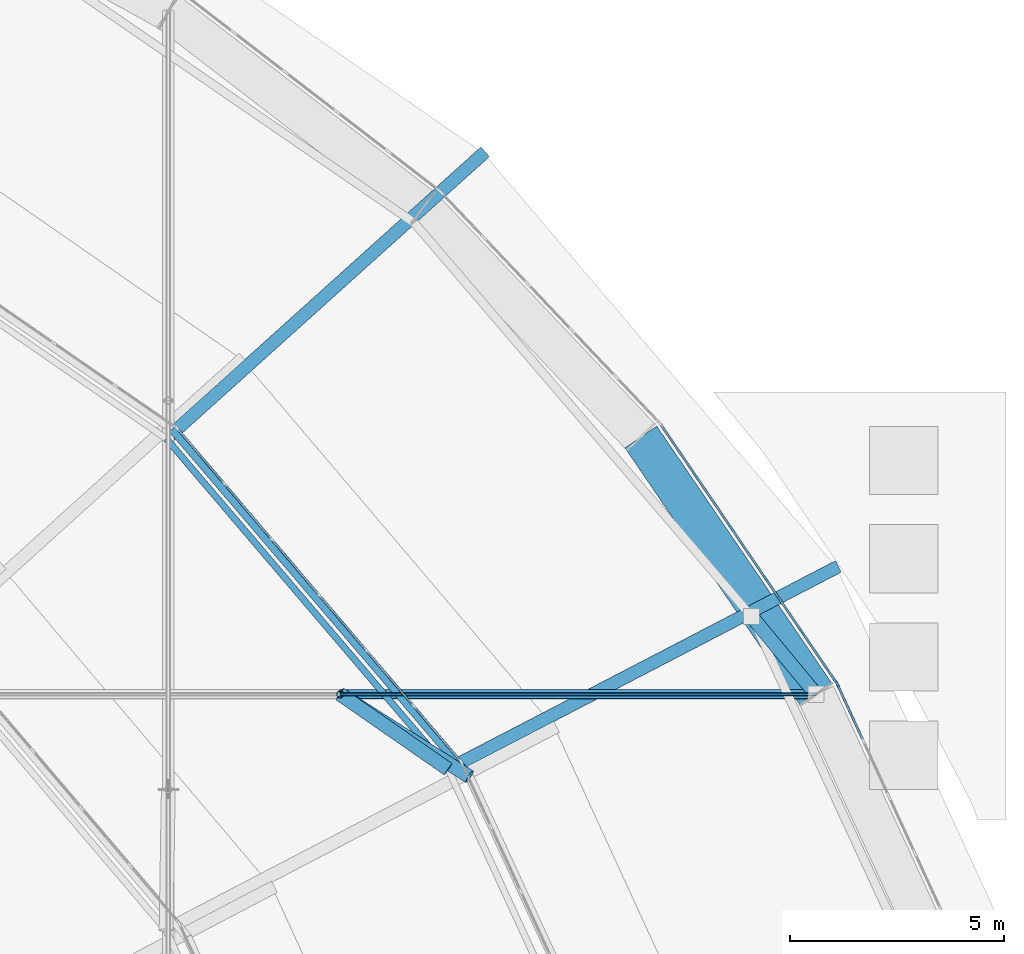
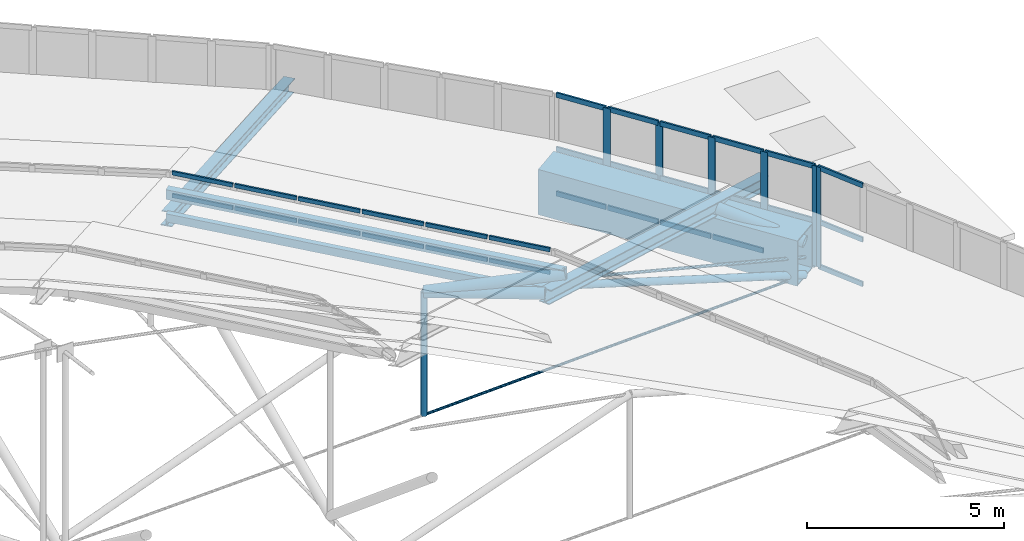
# One storey, part 120 of 173: 47 members, 1 beam, 3 elements without a shape of their own.
"""IFC4 building model written with IfcOpenShell, lengths in metres."""

import ifcopenshell
import ifcopenshell.guid

model = None  # the IFC model being written
_history = None  # IfcOwnerHistory: only IFC2X3 demands one
_inside = {}  # id of a spatial element -> (the spatial element, [elements in it])
_under = {}  # id of a project, library or spatial element -> (it, [spatial elements below it])
_declared = {}  # id of a project -> (the project, [libraries it declares])
_typed = {}  # id of a type object -> (the type object, [elements of that type])
_made_of = {}  # id of a material, layer set ... -> (it, [elements and type objects made of it])


def new_model(schema):
    """Start an empty IFC model of exactly this schema.

    Asked for "IFC4X3", IfcOpenShell would pick the latest addendum, in which some entities
    have other attributes; the version numbers below select the first issue.
    IFC2X3 requires an IfcOwnerHistory on every rooted entity: one is made here for all.
    """
    global model, _history
    if schema == "IFC4X3":
        model = ifcopenshell.file(schema_version=(4, 3, 0, 0))
    else:
        model = ifcopenshell.file(schema=schema)
    _inside.clear()
    _under.clear()
    _declared.clear()
    _typed.clear()
    _made_of.clear()
    _history = None
    if model.schema == "IFC2X3":
        org = make("IfcOrganization", Name="unknown")
        user = make(
            "IfcPersonAndOrganization",
            ThePerson=make("IfcPerson", FamilyName="unknown"),
            TheOrganization=org,
        )
        app = make(
            "IfcApplication",
            ApplicationDeveloper=org,
            Version="unknown",
            ApplicationFullName="unknown",
            ApplicationIdentifier="unknown",
        )
        _history = make(
            "IfcOwnerHistory",
            OwningUser=user,
            OwningApplication=app,
            ChangeAction="ADDED",
            CreationDate=0,
        )
    return model


def make(cls, **values):
    """One entity of the class cls with the attributes given. An attribute that is None is left unset."""
    return model.create_entity(
        cls, **{name: value for name, value in values.items() if value is not None}
    )


def rooted(cls, **values):
    """An entity with a GlobalId (a new one), such as an element, a storey or a relation."""
    return make(cls, GlobalId=ifcopenshell.guid.new(), OwnerHistory=_history, **values)


def si_unit(unit_type, name, prefix=None):
    """IfcSIUnit, for example si_unit("LENGTHUNIT", "METRE", prefix="MILLI")."""
    return make("IfcSIUnit", UnitType=unit_type, Prefix=prefix, Name=name)


def assignment(units):
    """IfcUnitAssignment: the units of a project."""
    return None if units is None else make("IfcUnitAssignment", Units=units)


def point(xyz):
    """IfcCartesianPoint."""
    return None if xyz is None else make("IfcCartesianPoint", Coordinates=xyz)


def direction(xyz):
    """IfcDirection."""
    return None if xyz is None else make("IfcDirection", DirectionRatios=xyz)


def frame(location, z_axis=None, x_axis=None):
    """IfcAxis2Placement3D, a coordinate frame: its origin and axes. An axis left out is left unset."""
    return make(
        "IfcAxis2Placement3D",
        Location=point(location),
        Axis=direction(z_axis),
        RefDirection=direction(x_axis),
    )


def frame_2d(location, x_axis=None):
    """IfcAxis2Placement2D, a coordinate frame in the plane: its origin and x axis."""
    return make(
        "IfcAxis2Placement2D", Location=point(location), RefDirection=direction(x_axis)
    )


def origin():
    """The frame at (0, 0, 0) with its axes left unset."""
    return frame((0.0, 0.0, 0.0))


def origin_2d():
    """The frame at (0, 0) in the plane with its x axis left unset."""
    return frame_2d((0.0, 0.0))


def place(relative_to, where):
    """IfcLocalPlacement: puts the frame where relative to a parent placement (None: the world)."""
    return make(
        "IfcLocalPlacement", PlacementRelTo=relative_to, RelativePlacement=where
    )


def context(
    kind, dimensions, precision=None, world=None, true_north=None, identifier=None
):
    """IfcGeometricRepresentationContext, for example the 3D "Model" context."""
    return make(
        "IfcGeometricRepresentationContext",
        ContextIdentifier=identifier,
        ContextType=kind,
        CoordinateSpaceDimension=dimensions,
        Precision=precision,
        WorldCoordinateSystem=world,
        TrueNorth=true_north,
    )


def subcontext(parent, identifier, kind, view, scale=None):
    """IfcGeometricRepresentationSubContext, for example "Body" below "Model"."""
    return make(
        "IfcGeometricRepresentationSubContext",
        ContextIdentifier=identifier,
        ContextType=kind,
        ParentContext=parent,
        TargetScale=scale,
        TargetView=view,
    )


def project(units=None, contexts=None):
    """IfcProject with its units and contexts."""
    return rooted(
        "IfcProject",
        Name="project",
        RepresentationContexts=contexts,
        UnitsInContext=assignment(units),
    )


def spatial(cls, under=None, at=None, **own):
    """A site, building, storey or space (cls), placed at a placement, below another one or the project."""
    s = rooted(cls, ObjectPlacement=at, **own)
    if under is not None:
        _under.setdefault(under.id(), (under, []))[1].append(s)
    return s


def profile(cls, at=None, kind="AREA", **sizes):
    """A parametric profile (cls). Its sizes go by their IFC names, for example OverallWidth=200.0."""
    return make(cls, ProfileType=kind, Position=at, **sizes)


def rectangle(**sizes):
    """IfcRectangleProfileDef."""
    return profile("IfcRectangleProfileDef", **sizes)


def hollow_rectangle(**sizes):
    """IfcRectangleHollowProfileDef."""
    return profile("IfcRectangleHollowProfileDef", **sizes)


def circle(**sizes):
    """IfcCircleProfileDef."""
    return profile("IfcCircleProfileDef", **sizes)


def hollow_circle(**sizes):
    """IfcCircleHollowProfileDef."""
    return profile("IfcCircleHollowProfileDef", **sizes)


def i_section(**sizes):
    """IfcIShapeProfileDef."""
    return profile("IfcIShapeProfileDef", **sizes)


def extrude(swept, where, along, depth):
    """IfcExtrudedAreaSolid: the profile swept, set in the frame where, extruded along a direction by depth."""
    return make(
        "IfcExtrudedAreaSolid",
        SweptArea=swept,
        Position=where,
        ExtrudedDirection=direction(along),
        Depth=depth,
    )


def shape(context_of_items, identifier, shape_type, items):
    """IfcShapeRepresentation: the items that make up one representation, for example the "Body"."""
    return make(
        "IfcShapeRepresentation",
        ContextOfItems=context_of_items,
        RepresentationIdentifier=identifier,
        RepresentationType=shape_type,
        Items=items,
    )


def material(Name=None, Category=None):
    """IfcMaterial."""
    return make("IfcMaterial", Name=Name, Category=Category)


def material_profile(
    of_material, cross_section, Name=None, Category=None, Priority=None
):
    """IfcMaterialProfile: a cross section and its material."""
    return make(
        "IfcMaterialProfile",
        Name=Name,
        Material=of_material,
        Profile=cross_section,
        Priority=Priority,
        Category=Category,
    )


def profile_set(profiles, Name=None, composite=None):
    """IfcMaterialProfileSet."""
    return make(
        "IfcMaterialProfileSet",
        Name=Name,
        MaterialProfiles=profiles,
        CompositeProfile=composite,
    )


def made_of(thing, what):
    """Note that an element or type object is made of a material, layer set ...; save() writes the relation."""
    if what is not None:
        _made_of.setdefault(what.id(), (what, []))[1].append(thing)
    return thing


def type_object(cls, material=None, **own):
    """A type object (cls), such as IfcWallType, which elements share."""
    return made_of(rooted(cls, **own), material)


def element(
    cls,
    number,
    at=None,
    inside=None,
    cuts=None,
    type_object=None,
    material=None,
    context=None,
    identifier="Body",
    shape_type=None,
    held_by="IfcProductDefinitionShape",
    body=None,
    shapes=None,
    **own,
):
    """One element of the class cls, such as IfcWall. Its Tag is "e" and its number.

    at: its placement. inside: the storey or other place that contains it. cuts: it is an
    opening in that element (IfcRelVoidsElement). A single representation is given by context,
    identifier, shape_type and body (its items); several are given by shapes. held_by: the class
    of the entity that holds the representations. save() writes the other relations.
    """
    e = rooted(cls, Tag="e%d" % number, ObjectPlacement=at, **own)
    if body is not None:
        shapes = [shape(context, identifier, shape_type, body)]
    if shapes is not None:
        e.Representation = make(held_by, Representations=shapes)
    if inside is not None:
        _inside.setdefault(inside.id(), (inside, []))[1].append(e)
    if cuts is not None:
        rooted(
            "IfcRelVoidsElement", RelatingBuildingElement=cuts, RelatedOpeningElement=e
        )
    if type_object is not None:
        _typed.setdefault(type_object.id(), (type_object, []))[1].append(e)
    return made_of(e, material)


def aggregate(whole, parts):
    """IfcRelAggregates: a whole, such as a stair, and the parts it consists of."""
    return rooted("IfcRelAggregates", RelatingObject=whole, RelatedObjects=parts)


def save(model, path):
    """Write the relations noted so far, then the file.

    IfcRelAggregates (storeys below a building ...), IfcRelContainedInSpatialStructure (elements
    in a storey), IfcRelDefinesByType, IfcRelAssociatesMaterial and IfcRelDeclares: one each for
    every whole, place, type object, material and project.
    """
    for whole, parts in _under.values():
        aggregate(whole, parts)
    for where, things in _inside.values():
        rooted(
            "IfcRelContainedInSpatialStructure",
            RelatedElements=things,
            RelatingStructure=where,
        )
    for kind, things in _typed.values():
        rooted("IfcRelDefinesByType", RelatedObjects=things, RelatingType=kind)
    for what, things in _made_of.values():
        rooted("IfcRelAssociatesMaterial", RelatedObjects=things, RelatingMaterial=what)
    for by, libraries in _declared.values():
        rooted("IfcRelDeclares", RelatingContext=by, RelatedDefinitions=libraries)
    model.write(path)


model = new_model("IFC4")

# Units and contexts
model_context = context("Model", 3, precision=1e-05, world=origin(), true_north=direction((0.0, 1.0)))
body_context = subcontext(model_context, "Body", "Model", "MODEL_VIEW")
ifc_project = project(units=[si_unit("LENGTHUNIT", "METRE"), si_unit("AREAUNIT", "SQUARE_METRE"), si_unit("VOLUMEUNIT", "CUBIC_METRE"), si_unit("PLANEANGLEUNIT", "RADIAN"), si_unit("MASSUNIT", "GRAM", prefix="KILO")], contexts=[model_context])

# Site, building, storey
site_placement = place(None, origin())
site = spatial("IfcSite", under=ifc_project, at=site_placement, CompositionType="ELEMENT")
building_placement = place(site_placement, origin())
building = spatial("IfcBuilding", under=site, at=building_placement, Name="Glasvene Arena", CompositionType="ELEMENT")
storey_placement = place(building_placement, frame((0.0, 0.0, 28.800048828125)))
storey = spatial("IfcBuildingStorey", under=building, at=storey_placement, Name="RF", CompositionType="ELEMENT", Elevation=28.800048828125)

# Beam
ifc_material_1 = material(Name="Steel S355J2", Category="steel")
ifc_material_profile_1 = material_profile(ifc_material_1, hollow_rectangle(XDim=0.89990234375, YDim=1.39990234375, WallThickness=0.034912109375, at=origin_2d()), Name="WBOX 900x1400x35")
ifc_profile_set_1 = profile_set([ifc_material_profile_1], Name="Steel S355J2")
beam_type = type_object("IfcBeamType", Name="BM-RING-BOX1400", PredefinedType="USERDEFINED", material=ifc_profile_set_1)
beam_placement = place(storey_placement, frame((136.55029296875, 93.4296875, -0.699951171875), z_axis=(-0.562841652838, 0.826564742674, 0.0), x_axis=(-0.826564742674, -0.562841652838, 0.0)))
element("IfcBeam", 1, at=beam_placement, inside=storey, type_object=beam_type, Name="Compression ring beam chord RB-04", ObjectType="RING BEAM", PredefinedType="USERDEFINED", context=body_context, shape_type="SweptSolid", body=[
    extrude(hollow_rectangle(XDim=0.89990234375, YDim=1.39990234375, WallThickness=0.034912109375, at=origin_2d()), origin(), (0.0, 0.0, 1.0), 7.28369140625),
])

# Curtain wall, member
ifc_material_2 = material(Name="Low-emissivity laminated double glazing", Category="glass")
curtain_wall_type_1 = type_object("IfcCurtainWallType", Name="CW-DRUM-727x310", PredefinedType="USERDEFINED", material=ifc_material_2)
curtain_wall_1_placement = place(storey_placement, frame((140.075927734375, 87.07568359375, 0.0)))
curtain_wall_1 = element("IfcCurtainWall", 2, at=curtain_wall_1_placement, inside=storey, type_object=curtain_wall_type_1, Name="Crown compression-ring fascia curtain wall 03", ObjectType="CURTAIN WALL", PredefinedType="USERDEFINED")
ifc_material_3 = material(Name="Anodised architectural aluminium", Category="aluminium")
ifc_material_profile_2 = material_profile(ifc_material_3, rectangle(XDim=0.050048828125, YDim=0.199951171875, at=origin_2d()), Name="ALU MULLION 50x200")
ifc_profile_set_2 = profile_set([ifc_material_profile_2], Name="Anodised architectural aluminium")
member_type_1 = type_object("IfcMemberType", Name="CW-MUL-180", PredefinedType="MULLION", material=ifc_profile_set_2)
member_1_placement = place(storey_placement, frame((137.05078125, 93.656494140625, -1.380126953125), z_axis=(0.0, 0.0, 1.0), x_axis=(-0.908603046232, -0.417660752738, 0.0)))
member_1 = element("IfcMember", 3, at=member_1_placement, type_object=member_type_1, Name="CW-073 mullion 6", PredefinedType="MULLION", context=body_context, shape_type="SweptSolid", body=[
    extrude(rectangle(XDim=0.050048828125, YDim=0.199951171875, at=origin_2d()), origin(), (0.0, 0.0, 1.0), 3.10009765625),
])

# Curtain wall, members
curtain_wall_type_2 = type_object("IfcCurtainWallType", Name="CW-DRUM-737x310", PredefinedType="USERDEFINED", material=ifc_material_2)
curtain_wall_2_placement = place(storey_placement, frame((137.040283203125, 93.67919921875, 0.0)))
curtain_wall_2 = element("IfcCurtainWall", 4, at=curtain_wall_2_placement, inside=storey, type_object=curtain_wall_type_2, Name="Crown compression-ring fascia curtain wall 04", ObjectType="CURTAIN WALL", PredefinedType="USERDEFINED")
member_2_placement = place(storey_placement, frame((137.0263671875, 93.699951171875, -1.380126953125), z_axis=(0.0, 0.0, 1.0), x_axis=(-0.826896469394, -0.56235418457, 0.0)))
member_2 = element("IfcMember", 5, at=member_2_placement, type_object=member_type_1, Name="CW-074 mullion 1", PredefinedType="MULLION", context=body_context, shape_type="SweptSolid", body=[
    extrude(rectangle(XDim=0.050048828125, YDim=0.199951171875, at=origin_2d()), origin(), (0.0, 0.0, 1.0), 3.10009765625),
])
member_3_placement = place(storey_placement, frame((136.21142578125, 94.898193359375, -1.380126953125), z_axis=(0.0, 0.0, 1.0), x_axis=(-0.826896469394, -0.56235418457, 0.0)))
member_3 = element("IfcMember", 6, at=member_3_placement, type_object=member_type_1, Name="CW-074 mullion 2", PredefinedType="MULLION", context=body_context, shape_type="SweptSolid", body=[
    extrude(rectangle(XDim=0.050048828125, YDim=0.199951171875, at=origin_2d()), origin(), (0.0, 0.0, 1.0), 3.10009765625),
])
member_4_placement = place(storey_placement, frame((135.382568359375, 96.116943359375, -1.380126953125), z_axis=(0.0, 0.0, 1.0), x_axis=(-0.826896469394, -0.56235418457, 0.0)))
member_4 = element("IfcMember", 7, at=member_4_placement, type_object=member_type_1, Name="CW-074 mullion 3", PredefinedType="MULLION", context=body_context, shape_type="SweptSolid", body=[
    extrude(rectangle(XDim=0.050048828125, YDim=0.199951171875, at=origin_2d()), origin(), (0.0, 0.0, 1.0), 3.10009765625),
])
member_5_placement = place(storey_placement, frame((134.5537109375, 97.3359375, -1.380126953125), z_axis=(0.0, 0.0, 1.0), x_axis=(-0.826896469394, -0.56235418457, 0.0)))
member_5 = element("IfcMember", 8, at=member_5_placement, type_object=member_type_1, Name="CW-074 mullion 4", PredefinedType="MULLION", context=body_context, shape_type="SweptSolid", body=[
    extrude(rectangle(XDim=0.050048828125, YDim=0.199951171875, at=origin_2d()), origin(), (0.0, 0.0, 1.0), 3.10009765625),
])
member_6_placement = place(storey_placement, frame((133.724609375, 98.5546875, -1.380126953125), z_axis=(0.0, 0.0, 1.0), x_axis=(-0.826896469394, -0.56235418457, 0.0)))
member_6 = element("IfcMember", 9, at=member_6_placement, type_object=member_type_1, Name="CW-074 mullion 5", PredefinedType="MULLION", context=body_context, shape_type="SweptSolid", body=[
    extrude(rectangle(XDim=0.050048828125, YDim=0.199951171875, at=origin_2d()), origin(), (0.0, 0.0, 1.0), 3.10009765625),
])

curtain_wall_type_3 = type_object("IfcCurtainWallType", Name="CW-PET1-1026x75", PredefinedType="USERDEFINED", material=ifc_material_2)
curtain_wall_3_placement = place(storey_placement, frame((128.2431640625, 91.85009765625, 0.0)))
curtain_wall_3 = element("IfcCurtainWall", 10, at=curtain_wall_3_placement, inside=storey, type_object=curtain_wall_type_3, Name="Petal ring 1-2 clerestory curtain wall 03", ObjectType="CURTAIN WALL", PredefinedType="USERDEFINED")
ifc_material_profile_3 = material_profile(ifc_material_3, rectangle(XDim=0.050048828125, YDim=0.1201171875, at=origin_2d()), Name="ALU TRANSOM 50x120")
ifc_profile_set_3 = profile_set([ifc_material_profile_3], Name="Anodised architectural aluminium")
member_type_2 = type_object("IfcMemberType", Name="CW-TRN-120", PredefinedType="USERDEFINED", material=ifc_profile_set_3)
member_7_placement = place(storey_placement, frame((128.210693359375, 91.88818359375, 2.60498046875), z_axis=(-0.648463249482, 0.761245961613, 0.0), x_axis=(-0.761245961613, -0.648463249482, 0.0)))
member_7 = element("IfcMember", 11, at=member_7_placement, type_object=member_type_2, Name="CW-083 transom 1.1", ObjectType="TRANSOM", PredefinedType="USERDEFINED", context=body_context, shape_type="SweptSolid", body=[
    extrude(rectangle(XDim=0.050048828125, YDim=0.1201171875, at=origin_2d()), origin(), (0.0, 0.0, 1.0), 1.63427734375),
])
member_8_placement = place(storey_placement, frame((128.210693359375, 91.88818359375, 3.304931640625), z_axis=(-0.648463249482, 0.761245961613, 0.0), x_axis=(-0.761245961613, -0.648463249482, 0.0)))
member_8 = element("IfcMember", 12, at=member_8_placement, type_object=member_type_2, Name="CW-083 transom 1.2", ObjectType="TRANSOM", PredefinedType="USERDEFINED", context=body_context, shape_type="SweptSolid", body=[
    extrude(rectangle(XDim=0.050048828125, YDim=0.1201171875, at=origin_2d()), origin(), (0.0, 0.0, 1.0), 1.63427734375),
])
member_9_placement = place(storey_placement, frame((127.118408203125, 93.17041015625, 2.60498046875), z_axis=(-0.648425401794, 0.761278200337, 0.0), x_axis=(-0.761278200337, -0.648425401794, 0.0)))
member_9 = element("IfcMember", 13, at=member_9_placement, type_object=member_type_2, Name="CW-083 transom 2.1", ObjectType="TRANSOM", PredefinedType="USERDEFINED", context=body_context, shape_type="SweptSolid", body=[
    extrude(rectangle(XDim=0.050048828125, YDim=0.1201171875, at=origin_2d()), origin(), (0.0, 0.0, 1.0), 1.6591796875),
])
member_10_placement = place(storey_placement, frame((127.118408203125, 93.17041015625, 3.304931640625), z_axis=(-0.648425401794, 0.761278200337, 0.0), x_axis=(-0.761278200337, -0.648425401794, 0.0)))
member_10 = element("IfcMember", 14, at=member_10_placement, type_object=member_type_2, Name="CW-083 transom 2.2", ObjectType="TRANSOM", PredefinedType="USERDEFINED", context=body_context, shape_type="SweptSolid", body=[
    extrude(rectangle(XDim=0.050048828125, YDim=0.1201171875, at=origin_2d()), origin(), (0.0, 0.0, 1.0), 1.6591796875),
])
member_11_placement = place(storey_placement, frame((126.010009765625, 94.4716796875, 2.60498046875), z_axis=(-0.648425401794, 0.761278200337, 0.0), x_axis=(-0.761278200337, -0.648425401794, 0.0)))
member_11 = element("IfcMember", 15, at=member_11_placement, type_object=member_type_2, Name="CW-083 transom 3.1", ObjectType="TRANSOM", PredefinedType="USERDEFINED", context=body_context, shape_type="SweptSolid", body=[
    extrude(rectangle(XDim=0.050048828125, YDim=0.1201171875, at=origin_2d()), origin(), (0.0, 0.0, 1.0), 1.6591796875),
])
member_12_placement = place(storey_placement, frame((126.010009765625, 94.4716796875, 3.304931640625), z_axis=(-0.648425401794, 0.761278200337, 0.0), x_axis=(-0.761278200337, -0.648425401794, 0.0)))
member_12 = element("IfcMember", 16, at=member_12_placement, type_object=member_type_2, Name="CW-083 transom 3.2", ObjectType="TRANSOM", PredefinedType="USERDEFINED", context=body_context, shape_type="SweptSolid", body=[
    extrude(rectangle(XDim=0.050048828125, YDim=0.1201171875, at=origin_2d()), origin(), (0.0, 0.0, 1.0), 1.6591796875),
])
member_13_placement = place(storey_placement, frame((124.901611328125, 95.77294921875, 2.60498046875), z_axis=(-0.648510661064, 0.761205571766, 0.0), x_axis=(-0.761205571766, -0.648510661064, 0.0)))
member_13 = element("IfcMember", 17, at=member_13_placement, type_object=member_type_2, Name="CW-083 transom 4.1", ObjectType="TRANSOM", PredefinedType="USERDEFINED", context=body_context, shape_type="SweptSolid", body=[
    extrude(rectangle(XDim=0.050048828125, YDim=0.1201171875, at=origin_2d()), origin(), (0.0, 0.0, 1.0), 1.659423828125),
])
member_14_placement = place(storey_placement, frame((124.901611328125, 95.77294921875, 3.304931640625), z_axis=(-0.648510661064, 0.761205571766, 0.0), x_axis=(-0.761205571766, -0.648510661064, 0.0)))
member_14 = element("IfcMember", 18, at=member_14_placement, type_object=member_type_2, Name="CW-083 transom 4.2", ObjectType="TRANSOM", PredefinedType="USERDEFINED", context=body_context, shape_type="SweptSolid", body=[
    extrude(rectangle(XDim=0.050048828125, YDim=0.1201171875, at=origin_2d()), origin(), (0.0, 0.0, 1.0), 1.659423828125),
])
member_15_placement = place(storey_placement, frame((123.793212890625, 97.07421875, 2.60498046875), z_axis=(-0.648438039829, 0.761267435598, 0.0), x_axis=(-0.761267435598, -0.648438039829, 0.0)))
member_15 = element("IfcMember", 19, at=member_15_placement, type_object=member_type_2, Name="CW-083 transom 5.1", ObjectType="TRANSOM", PredefinedType="USERDEFINED", context=body_context, shape_type="SweptSolid", body=[
    extrude(rectangle(XDim=0.050048828125, YDim=0.1201171875, at=origin_2d()), origin(), (0.0, 0.0, 1.0), 1.65966796875),
])
member_16_placement = place(storey_placement, frame((123.793212890625, 97.07421875, 3.304931640625), z_axis=(-0.648438039829, 0.761267435598, 0.0), x_axis=(-0.761267435598, -0.648438039829, 0.0)))
member_16 = element("IfcMember", 20, at=member_16_placement, type_object=member_type_2, Name="CW-083 transom 5.2", ObjectType="TRANSOM", PredefinedType="USERDEFINED", context=body_context, shape_type="SweptSolid", body=[
    extrude(rectangle(XDim=0.050048828125, YDim=0.1201171875, at=origin_2d()), origin(), (0.0, 0.0, 1.0), 1.65966796875),
])
member_17_placement = place(storey_placement, frame((122.6845703125, 98.375732421875, 2.60498046875), z_axis=(-0.648463249482, 0.761245961613, 0.0), x_axis=(-0.761245961613, -0.648463249482, 0.0)))
member_17 = element("IfcMember", 21, at=member_17_placement, type_object=member_type_2, Name="CW-083 transom 6.1", ObjectType="TRANSOM", PredefinedType="USERDEFINED", context=body_context, shape_type="SweptSolid", body=[
    extrude(rectangle(XDim=0.050048828125, YDim=0.1201171875, at=origin_2d()), origin(), (0.0, 0.0, 1.0), 1.63427734375),
])
member_18_placement = place(storey_placement, frame((122.6845703125, 98.375732421875, 3.304931640625), z_axis=(-0.648463249482, 0.761245961613, 0.0), x_axis=(-0.761245961613, -0.648463249482, 0.0)))
member_18 = element("IfcMember", 22, at=member_18_placement, type_object=member_type_2, Name="CW-083 transom 6.2", ObjectType="TRANSOM", PredefinedType="USERDEFINED", context=body_context, shape_type="SweptSolid", body=[
    extrude(rectangle(XDim=0.050048828125, YDim=0.1201171875, at=origin_2d()), origin(), (0.0, 0.0, 1.0), 1.63427734375),
])
aggregate(curtain_wall_3, [member_7, member_8, member_9, member_10, member_11, member_12, member_13, member_14, member_15, member_16, member_17, member_18])

# Member
ifc_material_profile_4 = material_profile(ifc_material_3, rectangle(XDim=0.050048828125, YDim=0.14990234375, at=origin_2d()), Name="ALU TRANSOM 50x150")
ifc_profile_set_4 = profile_set([ifc_material_profile_4], Name="Anodised architectural aluminium")
member_type_3 = type_object("IfcMemberType", Name="CW-TRN-150", PredefinedType="USERDEFINED", material=ifc_profile_set_4)
member_19_placement = place(storey_placement, frame((137.636962890625, 92.38134765625, -1.35498046875), z_axis=(-0.417642458451, 0.908611455408, 0.0), x_axis=(-0.908611455408, -0.417642458451, 0.0)))
member_19 = element("IfcMember", 23, at=member_19_placement, type_object=member_type_3, Name="CW-073 transom 5.1", ObjectType="TRANSOM", PredefinedType="USERDEFINED", context=body_context, shape_type="SweptSolid", body=[
    extrude(rectangle(XDim=0.050048828125, YDim=0.14990234375, at=origin_2d()), origin(), (0.0, 0.0, 1.0), 1.37841796875),
])

member_20_placement = place(storey_placement, frame((137.636962890625, 92.38134765625, 0.02001953125), z_axis=(-0.417642458451, 0.908611455408, 0.0), x_axis=(-0.908611455408, -0.417642458451, 0.0)))
member_20 = element("IfcMember", 24, at=member_20_placement, type_object=member_type_3, Name="CW-073 transom 5.2", ObjectType="TRANSOM", PredefinedType="USERDEFINED", context=body_context, shape_type="SweptSolid", body=[
    extrude(rectangle(XDim=0.050048828125, YDim=0.14990234375, at=origin_2d()), origin(), (0.0, 0.0, 1.0), 1.37841796875),
])

member_21_placement = place(storey_placement, frame((137.636962890625, 92.38134765625, 1.695068359375), z_axis=(-0.417642458451, 0.908611455408, 0.0), x_axis=(-0.908611455408, -0.417642458451, 0.0)))
member_21 = element("IfcMember", 25, at=member_21_placement, type_object=member_type_3, Name="CW-073 transom 5.3", ObjectType="TRANSOM", PredefinedType="USERDEFINED", context=body_context, shape_type="SweptSolid", body=[
    extrude(rectangle(XDim=0.050048828125, YDim=0.14990234375, at=origin_2d()), origin(), (0.0, 0.0, 1.0), 1.37841796875),
])

aggregate(curtain_wall_1, [member_1, member_19, member_20, member_21])

member_22_placement = place(storey_placement, frame((137.01220703125, 93.720703125, -1.35498046875), z_axis=(-0.562329116221, 0.826913517274, 0.0), x_axis=(-0.826913517274, -0.562329116221, 0.0)))
member_22 = element("IfcMember", 26, at=member_22_placement, type_object=member_type_3, Name="CW-074 transom 1.1", ObjectType="TRANSOM", PredefinedType="USERDEFINED", context=body_context, shape_type="SweptSolid", body=[
    extrude(rectangle(XDim=0.050048828125, YDim=0.14990234375, at=origin_2d()), origin(), (0.0, 0.0, 1.0), 1.39892578125),
])

member_23_placement = place(storey_placement, frame((137.01220703125, 93.720703125, 0.02001953125), z_axis=(-0.562329116221, 0.826913517274, 0.0), x_axis=(-0.826913517274, -0.562329116221, 0.0)))
member_23 = element("IfcMember", 27, at=member_23_placement, type_object=member_type_3, Name="CW-074 transom 1.2", ObjectType="TRANSOM", PredefinedType="USERDEFINED", context=body_context, shape_type="SweptSolid", body=[
    extrude(rectangle(XDim=0.050048828125, YDim=0.14990234375, at=origin_2d()), origin(), (0.0, 0.0, 1.0), 1.39892578125),
])

member_24_placement = place(storey_placement, frame((137.01220703125, 93.720703125, 1.695068359375), z_axis=(-0.562329116221, 0.826913517274, 0.0), x_axis=(-0.826913517274, -0.562329116221, 0.0)))
member_24 = element("IfcMember", 28, at=member_24_placement, type_object=member_type_3, Name="CW-074 transom 1.3", ObjectType="TRANSOM", PredefinedType="USERDEFINED", context=body_context, shape_type="SweptSolid", body=[
    extrude(rectangle(XDim=0.050048828125, YDim=0.14990234375, at=origin_2d()), origin(), (0.0, 0.0, 1.0), 1.39892578125),
])

member_25_placement = place(storey_placement, frame((136.197509765625, 94.9189453125, -1.35498046875), z_axis=(-0.562352226354, 0.82689780113, 0.0), x_axis=(-0.82689780113, -0.562352226354, 0.0)))
member_25 = element("IfcMember", 29, at=member_25_placement, type_object=member_type_3, Name="CW-074 transom 2.1", ObjectType="TRANSOM", PredefinedType="USERDEFINED", context=body_context, shape_type="SweptSolid", body=[
    extrude(rectangle(XDim=0.050048828125, YDim=0.14990234375, at=origin_2d()), origin(), (0.0, 0.0, 1.0), 1.424072265625),
])

member_26_placement = place(storey_placement, frame((136.197509765625, 94.9189453125, 0.02001953125), z_axis=(-0.562352226354, 0.82689780113, 0.0), x_axis=(-0.82689780113, -0.562352226354, 0.0)))
member_26 = element("IfcMember", 30, at=member_26_placement, type_object=member_type_3, Name="CW-074 transom 2.2", ObjectType="TRANSOM", PredefinedType="USERDEFINED", context=body_context, shape_type="SweptSolid", body=[
    extrude(rectangle(XDim=0.050048828125, YDim=0.14990234375, at=origin_2d()), origin(), (0.0, 0.0, 1.0), 1.424072265625),
])

member_27_placement = place(storey_placement, frame((136.197509765625, 94.9189453125, 1.695068359375), z_axis=(-0.562352226354, 0.82689780113, 0.0), x_axis=(-0.82689780113, -0.562352226354, 0.0)))
member_27 = element("IfcMember", 31, at=member_27_placement, type_object=member_type_3, Name="CW-074 transom 2.3", ObjectType="TRANSOM", PredefinedType="USERDEFINED", context=body_context, shape_type="SweptSolid", body=[
    extrude(rectangle(XDim=0.050048828125, YDim=0.14990234375, at=origin_2d()), origin(), (0.0, 0.0, 1.0), 1.424072265625),
])

member_28_placement = place(storey_placement, frame((135.368408203125, 96.1376953125, -1.35498046875), z_axis=(-0.562352226354, 0.82689780113, 0.0), x_axis=(-0.82689780113, -0.562352226354, 0.0)))
member_28 = element("IfcMember", 32, at=member_28_placement, type_object=member_type_3, Name="CW-074 transom 3.1", ObjectType="TRANSOM", PredefinedType="USERDEFINED", context=body_context, shape_type="SweptSolid", body=[
    extrude(rectangle(XDim=0.050048828125, YDim=0.14990234375, at=origin_2d()), origin(), (0.0, 0.0, 1.0), 1.424072265625),
])

member_29_placement = place(storey_placement, frame((135.368408203125, 96.1376953125, 0.02001953125), z_axis=(-0.562352226354, 0.82689780113, 0.0), x_axis=(-0.82689780113, -0.562352226354, 0.0)))
member_29 = element("IfcMember", 33, at=member_29_placement, type_object=member_type_3, Name="CW-074 transom 3.2", ObjectType="TRANSOM", PredefinedType="USERDEFINED", context=body_context, shape_type="SweptSolid", body=[
    extrude(rectangle(XDim=0.050048828125, YDim=0.14990234375, at=origin_2d()), origin(), (0.0, 0.0, 1.0), 1.424072265625),
])

member_30_placement = place(storey_placement, frame((135.368408203125, 96.1376953125, 1.695068359375), z_axis=(-0.562352226354, 0.82689780113, 0.0), x_axis=(-0.82689780113, -0.562352226354, 0.0)))
member_30 = element("IfcMember", 34, at=member_30_placement, type_object=member_type_3, Name="CW-074 transom 3.3", ObjectType="TRANSOM", PredefinedType="USERDEFINED", context=body_context, shape_type="SweptSolid", body=[
    extrude(rectangle(XDim=0.050048828125, YDim=0.14990234375, at=origin_2d()), origin(), (0.0, 0.0, 1.0), 1.424072265625),
])

member_31_placement = place(storey_placement, frame((134.53955078125, 97.3564453125, -1.35498046875), z_axis=(-0.562272509987, 0.826952008591, 0.0), x_axis=(-0.826952008591, -0.562272509987, 0.0)))
member_31 = element("IfcMember", 35, at=member_31_placement, type_object=member_type_3, Name="CW-074 transom 4.1", ObjectType="TRANSOM", PredefinedType="USERDEFINED", context=body_context, shape_type="SweptSolid", body=[
    extrude(rectangle(XDim=0.050048828125, YDim=0.14990234375, at=origin_2d()), origin(), (0.0, 0.0, 1.0), 1.424072265625),
])

member_32_placement = place(storey_placement, frame((134.53955078125, 97.3564453125, 0.02001953125), z_axis=(-0.562272509987, 0.826952008591, 0.0), x_axis=(-0.826952008591, -0.562272509987, 0.0)))
member_32 = element("IfcMember", 36, at=member_32_placement, type_object=member_type_3, Name="CW-074 transom 4.2", ObjectType="TRANSOM", PredefinedType="USERDEFINED", context=body_context, shape_type="SweptSolid", body=[
    extrude(rectangle(XDim=0.050048828125, YDim=0.14990234375, at=origin_2d()), origin(), (0.0, 0.0, 1.0), 1.424072265625),
])

member_33_placement = place(storey_placement, frame((134.53955078125, 97.3564453125, 1.695068359375), z_axis=(-0.562272509987, 0.826952008591, 0.0), x_axis=(-0.826952008591, -0.562272509987, 0.0)))
member_33 = element("IfcMember", 37, at=member_33_placement, type_object=member_type_3, Name="CW-074 transom 4.3", ObjectType="TRANSOM", PredefinedType="USERDEFINED", context=body_context, shape_type="SweptSolid", body=[
    extrude(rectangle(XDim=0.050048828125, YDim=0.14990234375, at=origin_2d()), origin(), (0.0, 0.0, 1.0), 1.424072265625),
])

member_34_placement = place(storey_placement, frame((133.710693359375, 98.575439453125, -1.35498046875), z_axis=(-0.56244843843, 0.826832361551, 0.0), x_axis=(-0.826832361551, -0.56244843843, 0.0)))
member_34 = element("IfcMember", 38, at=member_34_placement, type_object=member_type_3, Name="CW-074 transom 5.1", ObjectType="TRANSOM", PredefinedType="USERDEFINED", context=body_context, shape_type="SweptSolid", body=[
    extrude(rectangle(XDim=0.050048828125, YDim=0.14990234375, at=origin_2d()), origin(), (0.0, 0.0, 1.0), 1.39892578125),
])

member_35_placement = place(storey_placement, frame((133.710693359375, 98.575439453125, 0.02001953125), z_axis=(-0.56244843843, 0.826832361551, 0.0), x_axis=(-0.826832361551, -0.56244843843, 0.0)))
member_35 = element("IfcMember", 39, at=member_35_placement, type_object=member_type_3, Name="CW-074 transom 5.2", ObjectType="TRANSOM", PredefinedType="USERDEFINED", context=body_context, shape_type="SweptSolid", body=[
    extrude(rectangle(XDim=0.050048828125, YDim=0.14990234375, at=origin_2d()), origin(), (0.0, 0.0, 1.0), 1.39892578125),
])

member_36_placement = place(storey_placement, frame((133.710693359375, 98.575439453125, 1.695068359375), z_axis=(-0.56244843843, 0.826832361551, 0.0), x_axis=(-0.826832361551, -0.56244843843, 0.0)))
member_36 = element("IfcMember", 40, at=member_36_placement, type_object=member_type_3, Name="CW-074 transom 5.3", ObjectType="TRANSOM", PredefinedType="USERDEFINED", context=body_context, shape_type="SweptSolid", body=[
    extrude(rectangle(XDim=0.050048828125, YDim=0.14990234375, at=origin_2d()), origin(), (0.0, 0.0, 1.0), 1.39892578125),
])

aggregate(curtain_wall_2, [member_2, member_3, member_4, member_5, member_6, member_22, member_23, member_24, member_25, member_26, member_27, member_28, member_29, member_30, member_31, member_32, member_33, member_34, member_35, member_36])

# Members
ifc_material_4 = material(Name="High-strength steel spiral strand S460", Category="steel")
ifc_material_profile_5 = material_profile(ifc_material_4, circle(Radius=0.03759765625, at=origin_2d()), Name="LCSS D75")
ifc_profile_set_5 = profile_set([ifc_material_profile_5], Name="High-strength steel spiral strand S460")
member_type_4 = type_object("IfcMemberType", Name="MB-CABLE-75", PredefinedType="USERDEFINED", material=ifc_profile_set_5)
member_37_placement = place(storey_placement, frame((125.41259765625, 93.4296875, -1.753173828125), z_axis=(0.999244778277, 0.0, 0.038857085416), x_axis=(0.0, 1.0, 0.0)))
element("IfcMember", 41, at=member_37_placement, inside=storey, type_object=member_type_4, Name="Lower stabilization roof cable EW07-08", ObjectType="ROOF CABLE", PredefinedType="USERDEFINED", context=body_context, shape_type="SweptSolid", body=[
    extrude(circle(Radius=0.03759765625, at=origin_2d()), origin(), (0.0, 0.0, 1.0), 11.14599609375),
])
ifc_material_profile_6 = material_profile(ifc_material_4, circle(Radius=0.044921875, at=origin_2d()), Name="LCSS D90")
ifc_profile_set_6 = profile_set([ifc_material_profile_6], Name="High-strength steel spiral strand S460")
member_type_5 = type_object("IfcMemberType", Name="MB-CABLE-90", PredefinedType="USERDEFINED", material=ifc_profile_set_6)
member_38_placement = place(storey_placement, frame((125.41259765625, 93.4296875, 2.06103515625), z_axis=(0.968971956454, 0.0, -0.247170685166), x_axis=(0.0, 1.0, 0.0)))
element("IfcMember", 42, at=member_38_placement, inside=storey, type_object=member_type_5, Name="Upper lens roof cable EW07-08", ObjectType="ROOF CABLE", PredefinedType="USERDEFINED", context=body_context, shape_type="SweptSolid", body=[
    extrude(circle(Radius=0.044921875, at=origin_2d()), origin(), (0.0, 0.0, 1.0), 11.494384765625),
])
ifc_material_profile_7 = material_profile(ifc_material_1, i_section(OverallWidth=0.300048828125, OverallDepth=0.39990234375, WebThickness=0.013427734375, FlangeThickness=0.02392578125, FilletRadius=0.027099609375, at=origin_2d()), Name="HEB 400")
ifc_profile_set_7 = profile_set([ifc_material_profile_7], Name="Steel S355J2")
member_type_6 = type_object("IfcMemberType", Name="MB-CHORD-HEB400", PredefinedType="CHORD", material=ifc_profile_set_7)
member_39_placement = place(storey_placement, frame((137.033203125, 96.39990234375, -0.400146484375), z_axis=(-0.862078757918, -0.447935622671, 0.237010322748), x_axis=(0.46107291245, -0.887362253764, 0.0)))
element("IfcMember", 43, at=member_39_placement, inside=storey, type_object=member_type_6, Name="Petal ring 1 radial rib 03", PredefinedType="CHORD", context=body_context, shape_type="SweptSolid", body=[
    extrude(i_section(OverallWidth=0.300048828125, OverallDepth=0.39990234375, WebThickness=0.013427734375, FlangeThickness=0.02392578125, FilletRadius=0.027099609375, at=origin_2d()), origin(), (0.0, 0.0, 1.0), 10.548095703125),
])
member_40_placement = place(storey_placement, frame((128.76953125, 106.092529296875, -0.400146484375), z_axis=(-0.721052228136, -0.648949376347, 0.242792897837), x_axis=(0.668966081985, -0.743292930919, 0.0)))
element("IfcMember", 44, at=member_40_placement, inside=storey, type_object=member_type_6, Name="Petal ring 1 radial rib 04", PredefinedType="CHORD", context=body_context, shape_type="SweptSolid", body=[
    extrude(i_section(OverallWidth=0.300048828125, OverallDepth=0.39990234375, WebThickness=0.013427734375, FlangeThickness=0.02392578125, FilletRadius=0.027099609375, at=origin_2d()), origin(), (0.0, 0.0, 1.0), 10.296875),
])
ifc_material_profile_8 = material_profile(ifc_material_1, hollow_circle(Radius=0.161865234375, WallThickness=0.01611328125, at=origin_2d()), Name="CHS 323.9x16.0")
ifc_profile_set_8 = profile_set([ifc_material_profile_8], Name="Steel S355J2")
member_type_7 = type_object("IfcMemberType", Name="MB-POST-CHS324", PredefinedType="BRACE", material=ifc_profile_set_8)
member_41_placement = place(storey_placement, frame((136.55029296875, 93.4296875, -0.300048828125), z_axis=(-0.626028456856, 0.755286112349, 0.193987782343), x_axis=(-0.769911391409, -0.638150804574, 0.0)))
element("IfcMember", 45, at=member_41_placement, inside=storey, type_object=member_type_7, Name="Petal ring 1 outer support post 03", PredefinedType="BRACE", context=body_context, shape_type="SweptSolid", body=[
    extrude(hollow_circle(Radius=0.161865234375, WallThickness=0.01611328125, at=origin_2d()), origin(), (0.0, 0.0, 1.0), 2.41015625),
])
member_42_placement = place(storey_placement, frame((125.41259765625, 93.4296875, 2.06103515625), z_axis=(0.820807248758, -0.569855264376, 0.039248414619), x_axis=(0.570294685483, 0.821440181456, 0.0)))
element("IfcMember", 46, at=member_42_placement, inside=storey, type_object=member_type_7, Name="Petal ring 1 ridge support post 03", PredefinedType="BRACE", context=body_context, shape_type="SweptSolid", body=[
    extrude(hollow_circle(Radius=0.161865234375, WallThickness=0.01611328125, at=origin_2d()), origin(), (0.0, 0.0, 1.0), 3.0791015625),
])
member_43_placement = place(storey_placement, frame((125.41259765625, 93.4296875, 2.06103515625), z_axis=(0.828945872094, -0.528599287861, 0.182842921687), x_axis=(0.537663138169, 0.8431597416, 0.0)))
element("IfcMember", 47, at=member_43_placement, inside=storey, type_object=member_type_7, Name="Petal ring 2 outer support post 03", PredefinedType="BRACE", context=body_context, shape_type="SweptSolid", body=[
    extrude(hollow_circle(Radius=0.161865234375, WallThickness=0.01611328125, at=origin_2d()), origin(), (0.0, 0.0, 1.0), 3.650634765625),
])
ifc_material_profile_9 = material_profile(ifc_material_1, hollow_rectangle(XDim=0.14990234375, YDim=0.25, WallThickness=0.010009765625, at=origin_2d()), Name="RHS 250x150x10.0")
ifc_profile_set_9 = profile_set([ifc_material_profile_9], Name="Steel S355J2")
member_type_8 = type_object("IfcMemberType", Name="MB-PURLIN-RHS250", PredefinedType="PURLIN", material=ifc_profile_set_9)
member_44_placement = place(storey_placement, frame((127.93994140625, 91.675048828125, 2.181884765625), z_axis=(-0.648785480465, 0.760971353165, 0.0), x_axis=(-0.760971353165, -0.648785480465, 0.0)))
element("IfcMember", 48, at=member_44_placement, inside=storey, type_object=member_type_8, Name="Petal ring 1 ridge purlin 03", PredefinedType="PURLIN", context=body_context, shape_type="SweptSolid", body=[
    extrude(hollow_rectangle(XDim=0.14990234375, YDim=0.25, WallThickness=0.010009765625, at=origin_2d()), origin(), (0.0, 0.0, 1.0), 10.1650390625),
])
ifc_material_profile_10 = material_profile(ifc_material_1, hollow_rectangle(XDim=0.199951171875, YDim=0.300048828125, WallThickness=0.012451171875, at=origin_2d()), Name="RHS 300x200x12.5")
ifc_profile_set_10 = profile_set([ifc_material_profile_10], Name="Steel S355J2")
member_type_9 = type_object("IfcMemberType", Name="MB-PURLIN-RHS300", PredefinedType="PURLIN", material=ifc_profile_set_10)
member_45_placement = place(storey_placement, frame((128.438720703125, 91.5, 2.728515625), z_axis=(-0.649511397815, 0.760351855464, 0.0), x_axis=(-0.760351855464, -0.649511397815, 0.0)))
element("IfcMember", 49, at=member_45_placement, inside=storey, type_object=member_type_9, Name="Petal ring 2 outer purlin 03", PredefinedType="PURLIN", context=body_context, shape_type="SweptSolid", body=[
    extrude(hollow_rectangle(XDim=0.199951171875, YDim=0.300048828125, WallThickness=0.012451171875, at=origin_2d()), origin(), (0.0, 0.0, 1.0), 10.704833984375),
])
ifc_material_profile_11 = material_profile(ifc_material_1, hollow_circle(Radius=0.084228515625, WallThickness=0.008056640625, at=origin_2d()), Name="CHS 168.3x8.0")
ifc_profile_set_11 = profile_set([ifc_material_profile_11], Name="Steel S355J2")
member_type_10 = type_object("IfcMemberType", Name="MB-WEB-CHS168", PredefinedType="BRACE", material=ifc_profile_set_11)
member_46_placement = place(storey_placement, frame((125.41259765625, 93.4296875, -1.753173828125), z_axis=(0.0, 0.0, 1.0), x_axis=(1.0, 0.0, 0.0)))
element("IfcMember", 50, at=member_46_placement, inside=storey, type_object=member_type_10, Name="Cable-truss vertical strut EW07-07", PredefinedType="BRACE", context=body_context, shape_type="SweptSolid", body=[
    extrude(hollow_circle(Radius=0.084228515625, WallThickness=0.008056640625, at=origin_2d()), origin(), (0.0, 0.0, 1.0), 3.814208984375),
])
ifc_material_profile_12 = material_profile(ifc_material_1, hollow_circle(Radius=0.109619140625, WallThickness=0.010009765625, at=origin_2d()), Name="CHS 219.1x10.0")
ifc_profile_set_12 = profile_set([ifc_material_profile_12], Name="Steel S355J2")
member_type_11 = type_object("IfcMemberType", Name="MB-WEB-CHS219", PredefinedType="BRACE", material=ifc_profile_set_12)
member_47_placement = place(storey_placement, frame((125.41259765625, 93.4296875, 2.06103515625), z_axis=(0.956880160204, 0.0, -0.29048297542), x_axis=(0.0, 1.0, 0.0)))
element("IfcMember", 51, at=member_47_placement, inside=storey, type_object=member_type_11, Name="Cable-truss diagonal web strut EW07-08", PredefinedType="BRACE", context=body_context, shape_type="SweptSolid", body=[
    extrude(hollow_circle(Radius=0.109619140625, WallThickness=0.010009765625, at=origin_2d()), origin(), (0.0, 0.0, 1.0), 11.6396484375),
])

save(model, "model.ifc")
